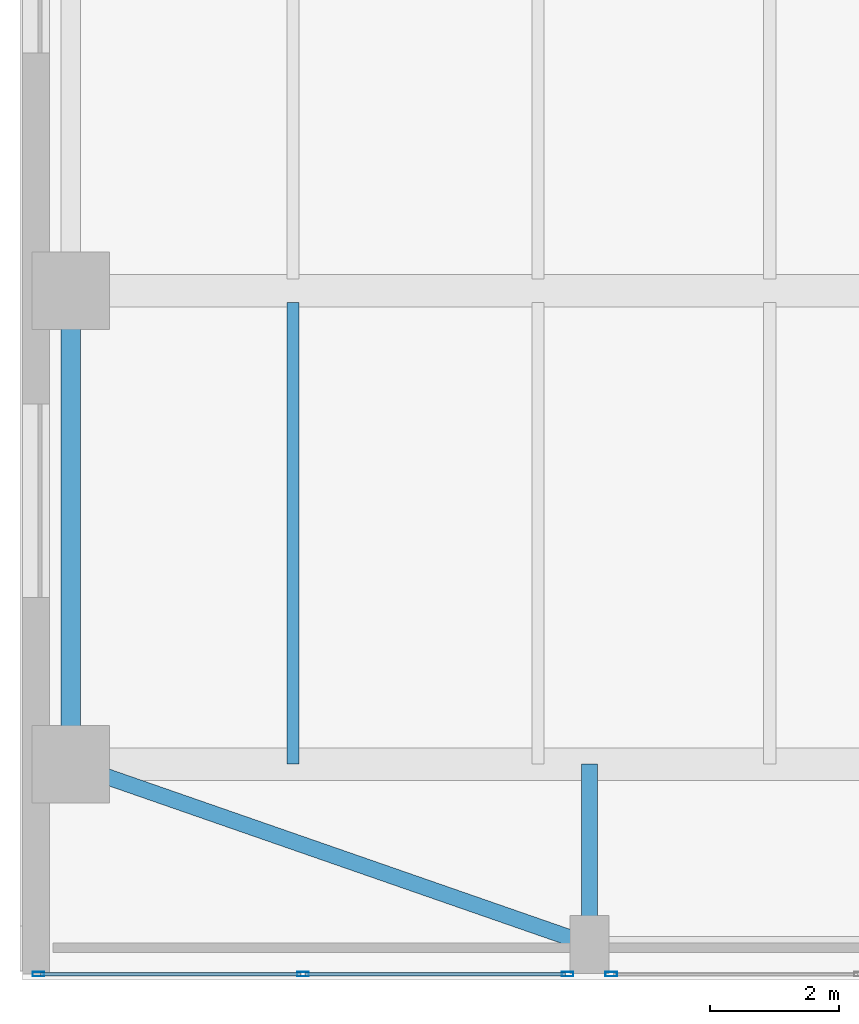
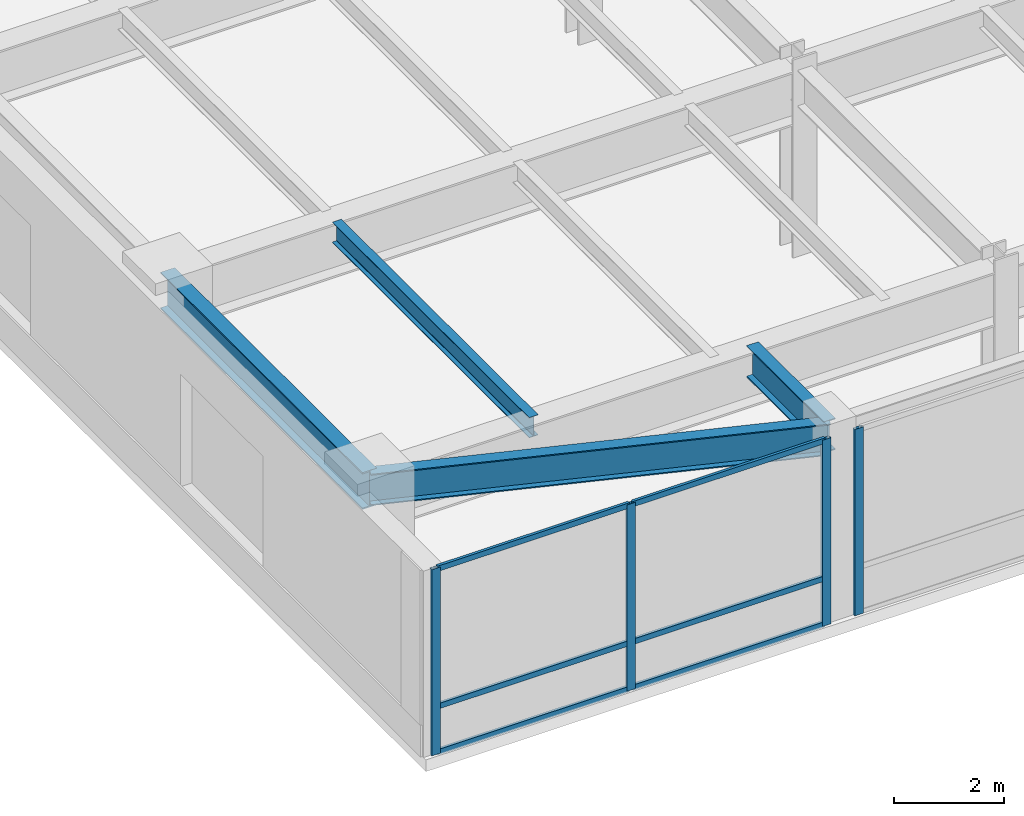
# One storey, part 3 of 27: 10 members, 4 beams, 2 elements without a shape of their own.
"""IFC4 building model written with IfcOpenShell, lengths in metres."""

from ifc_helpers import new_model, si_unit, direction, frame, origin, origin_2d, place, context, subcontext, project, spatial, hollow_rectangle, i_section, extrude, source, transform, mapped, material, layer, layer_set, material_profile, profile_set, type_object, type_shapes, element, aggregate, save


model = new_model("IFC4")

# Units and contexts
model_context = context("Model", 3, precision=1e-05, world=origin(), true_north=direction((0.0, 1.0)))
body_context = subcontext(model_context, "Body", "Model", "MODEL_VIEW")
ifc_project = project(units=[si_unit("LENGTHUNIT", "METRE"), si_unit("AREAUNIT", "SQUARE_METRE"), si_unit("VOLUMEUNIT", "CUBIC_METRE"), si_unit("PLANEANGLEUNIT", "RADIAN"), si_unit("MASSUNIT", "GRAM", prefix="KILO")], contexts=[model_context])

# Site, building, storey
site_placement = place(None, origin())
site = spatial("IfcSite", under=ifc_project, at=site_placement, CompositionType="ELEMENT")
building_placement = place(site_placement, origin())
building = spatial("IfcBuilding", under=site, at=building_placement, Name="Tolvann Quenvar Hotel", CompositionType="ELEMENT")
storey_placement = place(building_placement, frame((0.0, 0.0, 22.39990234375)))
storey = spatial("IfcBuildingStorey", under=building, at=storey_placement, Name="L04", CompositionType="ELEMENT", Elevation=22.39990234375)

# Beams
ifc_material_1 = material(Name="Steel Grade 350", Category="steel")
ifc_material_profile_1 = material_profile(ifc_material_1, i_section(OverallWidth=0.300048828125, OverallDepth=0.81591796875, WebThickness=0.010009765625, FlangeThickness=0.028076171875, at=origin_2d()), Name="800WB192")
ifc_profile_set_1 = profile_set([ifc_material_profile_1], Name="Steel Grade 350")
beam_type_1 = type_object("IfcBeamType", Name="BM_GIRD_800WB192", PredefinedType="BEAM", material=ifc_profile_set_1)
shared_shape_1 = source(origin(), body_context, "Body", "SweptSolid", [
    extrude(i_section(OverallWidth=0.300048828125, OverallDepth=0.81591796875, WebThickness=0.010009765625, FlangeThickness=0.028076171875, at=origin_2d()), origin(), (0.0, 0.0, 1.0), 7.349853515625),
])
type_shapes(beam_type_1, [shared_shape_1])
beam_1_placement = place(storey_placement, frame((-7.64990234375, 0.85009765625, 3.732177734375), z_axis=(0.0, 1.0, 0.0), x_axis=(-1.0, 0.0, 0.0)))
element("IfcBeam", 1, at=beam_1_placement, inside=storey, type_object=beam_type_1, Name="BM-L04-NS-A-0", PredefinedType="BEAM", context=body_context, shape_type="MappedRepresentation", body=[
    mapped(shared_shape_1, transform((0.0, 0.0, 0.0), x_axis=(1.0, 0.0, 0.0), y_axis=(0.0, 1.0, 0.0), z_axis=(0.0, 0.0, 1.0), scale=1.0)),
])
ifc_material_profile_2 = material_profile(ifc_material_1, i_section(OverallWidth=0.25, OverallDepth=0.699951171875, WebThickness=0.010009765625, FlangeThickness=0.02392578125, at=origin_2d()), Name="700WB150")
ifc_profile_set_2 = profile_set([ifc_material_profile_2], Name="Steel Grade 350")
beam_type_2 = type_object("IfcBeamType", Name="BM_GIRD_700WB150", PredefinedType="BEAM", material=ifc_profile_set_2)
shared_shape_2 = source(origin(), body_context, "Body", "SweptSolid", [
    extrude(i_section(OverallWidth=0.25, OverallDepth=0.699951171875, WebThickness=0.010009765625, FlangeThickness=0.02392578125, at=origin_2d()), origin(), (0.0, 0.0, 1.0), 8.52294921875),
])
beam_2_placement = place(storey_placement, frame((-7.64990234375, 0.85009765625, 3.7900390625), z_axis=(0.944492545724, -0.328532846261, 0.0), x_axis=(0.328532846261, 0.944492545724, 0.0)))
element("IfcBeam", 2, at=beam_2_placement, inside=storey, type_object=beam_type_2, Name="BM-L04-EWS-W0", PredefinedType="BEAM", context=body_context, shape_type="MappedRepresentation", body=[
    mapped(shared_shape_2, transform((0.0, 0.0, 0.0), x_axis=(1.0, 0.0, 0.0), y_axis=(0.0, 1.0, 0.0), z_axis=(0.0, 0.0, 1.0), scale=1.0)),
])
shared_shape_3 = source(origin(), body_context, "Body", "SweptSolid", [
    extrude(i_section(OverallWidth=0.25, OverallDepth=0.699951171875, WebThickness=0.010009765625, FlangeThickness=0.02392578125, at=origin_2d()), origin(), (0.0, 0.0, 1.0), 2.800048828125),
])
type_shapes(beam_type_2, [shared_shape_2, shared_shape_3])
beam_3_placement = place(storey_placement, frame((0.39990234375, -1.949951171875, 3.7900390625), z_axis=(0.0, 1.0, 0.0), x_axis=(-1.0, 0.0, 0.0)))
element("IfcBeam", 3, at=beam_3_placement, inside=storey, type_object=beam_type_2, Name="BM-L04-TIE-S-0", PredefinedType="BEAM", context=body_context, shape_type="MappedRepresentation", body=[
    mapped(shared_shape_3, transform((0.0, 0.0, 0.0), x_axis=(1.0, 0.0, 0.0), y_axis=(0.0, 1.0, 0.0), z_axis=(0.0, 0.0, 1.0), scale=1.0)),
])
ifc_material_profile_3 = material_profile(ifc_material_1, i_section(OverallWidth=0.18994140625, OverallDepth=0.4541015625, WebThickness=0.008544921875, FlangeThickness=0.0126953125, FilletRadius=0.011474609375, at=origin_2d()), Name="460UB67")
ifc_profile_set_3 = profile_set([ifc_material_profile_3], Name="Steel Grade 350")
beam_type_3 = type_object("IfcBeamType", Name="BM_JOIST_460UB67", PredefinedType="JOIST", material=ifc_profile_set_3)
shared_shape_4 = source(origin(), body_context, "Body", "SweptSolid", [
    extrude(i_section(OverallWidth=0.18994140625, OverallDepth=0.4541015625, WebThickness=0.008544921875, FlangeThickness=0.0126953125, FilletRadius=0.011474609375, at=origin_2d()), origin(), (0.0, 0.0, 1.0), 7.164794921875),
])
type_shapes(beam_type_3, [shared_shape_4])
beam_4_placement = place(storey_placement, frame((-4.199951171875, 0.85009765625, 3.9130859375), z_axis=(0.0, 1.0, 0.0), x_axis=(-1.0, 0.0, 0.0)))
element("IfcBeam", 4, at=beam_4_placement, inside=storey, type_object=beam_type_3, Name="BJ-L04--42-8", PredefinedType="JOIST", context=body_context, shape_type="MappedRepresentation", body=[
    mapped(shared_shape_4, transform((0.0, 0.0, 0.0), x_axis=(1.0, 0.0, 0.0), y_axis=(0.0, 1.0, 0.0), z_axis=(0.0, 0.0, 1.0), scale=1.0)),
])

# Curtain wall, members
ifc_material_2 = material(Name="Thermally broken anodised architectural aluminium 6063-T6 and laminated low-E glass", Category="aluminium")
ifc_layer = layer(ifc_material_2, 0.179931640625)
ifc_layer_set = layer_set([ifc_layer], Name="Thermally broken anodised architectural aluminium 6063-T6 and laminated low-E glass")
curtain_wall_type = type_object("IfcCurtainWallType", Name="CW_SYS_BALL_02", PredefinedType="USERDEFINED", material=ifc_layer_set)
curtain_wall_1_placement = place(storey_placement, origin())
curtain_wall_1 = element("IfcCurtainWall", 5, at=curtain_wall_1_placement, inside=storey, type_object=curtain_wall_type, Name="Curtain Wall CW-BALL-02 (CWR-L04-E04-S1)", ObjectType="UNITISED CURTAIN WALL", PredefinedType="USERDEFINED")
ifc_material_3 = material(Name="Anodised architectural aluminium 6063-T6 framing", Category="aluminium")
ifc_material_profile_4 = material_profile(ifc_material_3, hollow_rectangle(XDim=0.06005859375, YDim=0.1201171875, WallThickness=0.00341796875, at=origin_2d()), Name="120x60x3.5RHS")
ifc_profile_set_4 = profile_set([ifc_material_profile_4], Name="Anodised architectural aluminium 6063-T6 framing")
member_type_1 = type_object("IfcMemberType", Name="CW_TRAN_120x60", PredefinedType="USERDEFINED", material=ifc_profile_set_4)
shared_shape_5 = source(origin(), body_context, "Body", "SweptSolid", [
    extrude(hollow_rectangle(XDim=0.06005859375, YDim=0.1201171875, WallThickness=0.00341796875, at=origin_2d()), origin(), (0.0, 0.0, 1.0), 4.0380859375),
])
member_1_placement = place(storey_placement, frame((-8.1201171875, -2.409912109375, 0.030029296875), z_axis=(1.0, 0.0, 0.0), x_axis=(0.0, 1.0, 0.0)))
member_1 = element("IfcMember", 6, at=member_1_placement, type_object=member_type_1, Name="CW-BALL-02 transom 1.1", ObjectType="TRANSOM", PredefinedType="USERDEFINED", context=body_context, shape_type="MappedRepresentation", body=[
    mapped(shared_shape_5, transform((0.0, 0.0, 0.0), x_axis=(1.0, 0.0, 0.0), y_axis=(0.0, 1.0, 0.0), z_axis=(0.0, 0.0, 1.0), scale=1.0)),
])
member_2_placement = place(storey_placement, frame((-8.1201171875, -2.409912109375, 1.050048828125), z_axis=(1.0, 0.0, 0.0), x_axis=(0.0, 1.0, 0.0)))
member_2 = element("IfcMember", 7, at=member_2_placement, type_object=member_type_1, Name="CW-BALL-02 transom 1.2", ObjectType="TRANSOM", PredefinedType="USERDEFINED", context=body_context, shape_type="MappedRepresentation", body=[
    mapped(shared_shape_5, transform((0.0, 0.0, 0.0), x_axis=(1.0, 0.0, 0.0), y_axis=(0.0, 1.0, 0.0), z_axis=(0.0, 0.0, 1.0), scale=1.0)),
])
member_3_placement = place(storey_placement, frame((-8.1201171875, -2.409912109375, 4.110107421875), z_axis=(1.0, 0.0, 0.0), x_axis=(0.0, 1.0, 0.0)))
member_3 = element("IfcMember", 8, at=member_3_placement, type_object=member_type_1, Name="CW-BALL-02 transom 1.3", ObjectType="TRANSOM", PredefinedType="USERDEFINED", context=body_context, shape_type="MappedRepresentation", body=[
    mapped(shared_shape_5, transform((0.0, 0.0, 0.0), x_axis=(1.0, 0.0, 0.0), y_axis=(0.0, 1.0, 0.0), z_axis=(0.0, 0.0, 1.0), scale=1.0)),
])
shared_shape_6 = source(origin(), body_context, "Body", "SweptSolid", [
    extrude(hollow_rectangle(XDim=0.06005859375, YDim=0.1201171875, WallThickness=0.00341796875, at=origin_2d()), origin(), (0.0, 0.0, 1.0), 4.037841796875),
])
type_shapes(member_type_1, [shared_shape_5, shared_shape_6])
member_4_placement = place(storey_placement, frame((-4.011962890625, -2.409912109375, 0.030029296875), z_axis=(1.0, 0.0, 0.0), x_axis=(0.0, 1.0, 0.0)))
member_4 = element("IfcMember", 9, at=member_4_placement, type_object=member_type_1, Name="CW-BALL-02 transom 2.1", ObjectType="TRANSOM", PredefinedType="USERDEFINED", context=body_context, shape_type="MappedRepresentation", body=[
    mapped(shared_shape_6, transform((0.0, 0.0, 0.0), x_axis=(1.0, 0.0, 0.0), y_axis=(0.0, 1.0, 0.0), z_axis=(0.0, 0.0, 1.0), scale=1.0)),
])
member_5_placement = place(storey_placement, frame((-4.011962890625, -2.409912109375, 1.050048828125), z_axis=(1.0, 0.0, 0.0), x_axis=(0.0, 1.0, 0.0)))
member_5 = element("IfcMember", 10, at=member_5_placement, type_object=member_type_1, Name="CW-BALL-02 transom 2.2", ObjectType="TRANSOM", PredefinedType="USERDEFINED", context=body_context, shape_type="MappedRepresentation", body=[
    mapped(shared_shape_6, transform((0.0, 0.0, 0.0), x_axis=(1.0, 0.0, 0.0), y_axis=(0.0, 1.0, 0.0), z_axis=(0.0, 0.0, 1.0), scale=1.0)),
])
member_6_placement = place(storey_placement, frame((-4.011962890625, -2.409912109375, 4.110107421875), z_axis=(1.0, 0.0, 0.0), x_axis=(0.0, 1.0, 0.0)))
member_6 = element("IfcMember", 11, at=member_6_placement, type_object=member_type_1, Name="CW-BALL-02 transom 2.3", ObjectType="TRANSOM", PredefinedType="USERDEFINED", context=body_context, shape_type="MappedRepresentation", body=[
    mapped(shared_shape_6, transform((0.0, 0.0, 0.0), x_axis=(1.0, 0.0, 0.0), y_axis=(0.0, 1.0, 0.0), z_axis=(0.0, 0.0, 1.0), scale=1.0)),
])
ifc_material_profile_5 = material_profile(ifc_material_3, hollow_rectangle(XDim=0.070068359375, YDim=0.179931640625, WallThickness=0.00390625, at=origin_2d()), Name="180x70x4RHS")
ifc_profile_set_5 = profile_set([ifc_material_profile_5], Name="Anodised architectural aluminium 6063-T6 framing")
member_type_2 = type_object("IfcMemberType", Name="CW_MULL_180x70", PredefinedType="MULLION", material=ifc_profile_set_5)
shared_shape_7 = source(origin(), body_context, "Body", "SweptSolid", [
    extrude(hollow_rectangle(XDim=0.070068359375, YDim=0.179931640625, WallThickness=0.00390625, at=origin_2d()), origin(), (0.0, 0.0, 1.0), 4.14013671875),
])
type_shapes(member_type_2, [shared_shape_7])
member_7_placement = place(storey_placement, frame((-8.155029296875, -2.409912109375, 0.0), z_axis=(0.0, 0.0, 1.0), x_axis=(0.0, 1.0, 0.0)))
member_7 = element("IfcMember", 12, at=member_7_placement, type_object=member_type_2, Name="CW-BALL-02 mullion 1", PredefinedType="MULLION", context=body_context, shape_type="MappedRepresentation", body=[
    mapped(shared_shape_7, transform((0.0, 0.0, 0.0), x_axis=(1.0, 0.0, 0.0), y_axis=(0.0, 1.0, 0.0), z_axis=(0.0, 0.0, 1.0), scale=1.0)),
])
member_8_placement = place(storey_placement, frame((-4.047119140625, -2.409912109375, 0.0), z_axis=(0.0, 0.0, 1.0), x_axis=(0.0, 1.0, 0.0)))
member_8 = element("IfcMember", 13, at=member_8_placement, type_object=member_type_2, Name="CW-BALL-02 mullion 2", PredefinedType="MULLION", context=body_context, shape_type="MappedRepresentation", body=[
    mapped(shared_shape_7, transform((0.0, 0.0, 0.0), x_axis=(1.0, 0.0, 0.0), y_axis=(0.0, 1.0, 0.0), z_axis=(0.0, 0.0, 1.0), scale=1.0)),
])
member_9_placement = place(storey_placement, frame((0.06103515625, -2.409912109375, 0.0), z_axis=(0.0, 0.0, 1.0), x_axis=(0.0, 1.0, 0.0)))
member_9 = element("IfcMember", 14, at=member_9_placement, type_object=member_type_2, Name="CW-BALL-02 mullion 3", PredefinedType="MULLION", context=body_context, shape_type="MappedRepresentation", body=[
    mapped(shared_shape_7, transform((0.0, 0.0, 0.0), x_axis=(1.0, 0.0, 0.0), y_axis=(0.0, 1.0, 0.0), z_axis=(0.0, 0.0, 1.0), scale=1.0)),
])
aggregate(curtain_wall_1, [member_7, member_8, member_9, member_1, member_2, member_3, member_4, member_5, member_6])

# Curtain wall, member
curtain_wall_2_placement = place(storey_placement, origin())
curtain_wall_2 = element("IfcCurtainWall", 15, at=curtain_wall_2_placement, inside=storey, type_object=curtain_wall_type, Name="Curtain Wall CW-BALL-02 (CWR-L04-E04-S2)", ObjectType="UNITISED CURTAIN WALL", PredefinedType="USERDEFINED")
member_10_placement = place(storey_placement, frame((0.739013671875, -2.409912109375, 0.0), z_axis=(0.0, 0.0, 1.0), x_axis=(0.0, 1.0, 0.0)))
member_10 = element("IfcMember", 16, at=member_10_placement, type_object=member_type_2, Name="CW-BALL-02 mullion 1", PredefinedType="MULLION", context=body_context, shape_type="MappedRepresentation", body=[
    mapped(shared_shape_7, transform((0.0, 0.0, 0.0), x_axis=(1.0, 0.0, 0.0), y_axis=(0.0, 1.0, 0.0), z_axis=(0.0, 0.0, 1.0), scale=1.0)),
])
aggregate(curtain_wall_2, [member_10])

save(model, "model.ifc")
